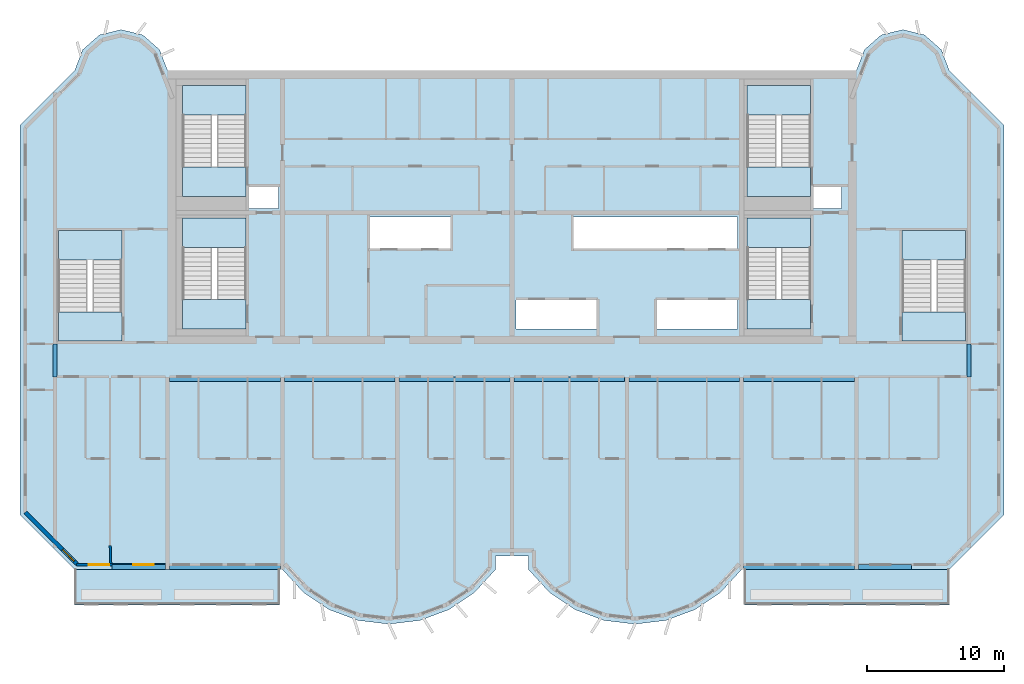
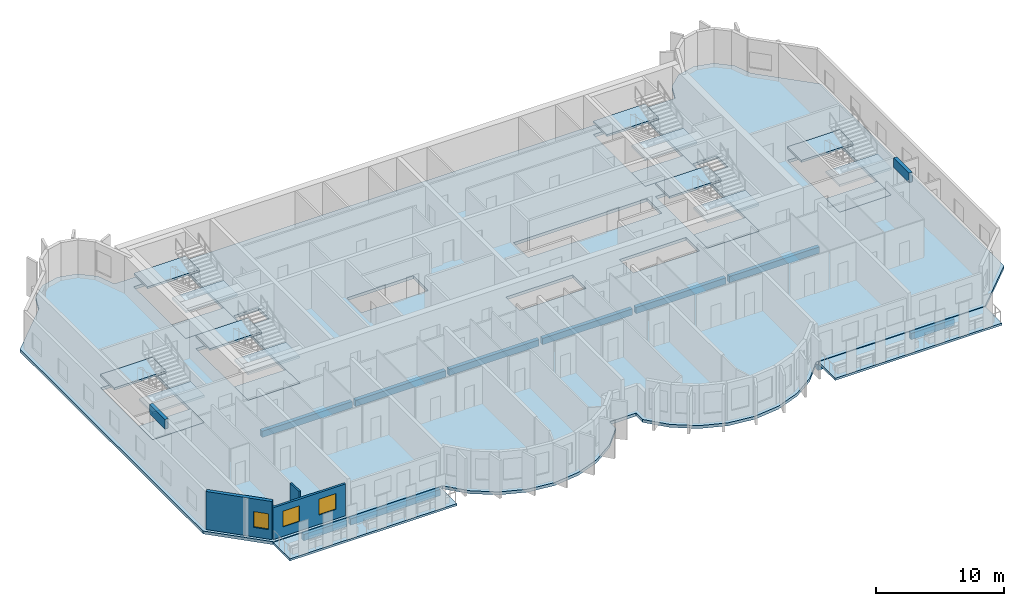
# One storey, part 1 of 11: 21 slabs, 12 beams, 3 walls, 3 windows, 3 openings, 6 elements without a shape of their own.
"""IFC4 building model written with IfcOpenShell, lengths in metres."""

from ifc_helpers import new_model, si_unit, direction, frame, frame_2d, origin, origin_2d, place, context, subcontext, project, spatial, polyline, rectangle, outline, extrude, source, transform, mapped, material, layer, layer_set, material_profile, profile_set, type_object, element, fill, aggregate, save


model = new_model("IFC4")

# Units and contexts
model_context = context("Model", 3, precision=1e-05, world=origin(), true_north=direction((0.0, 1.0)))
body_context = subcontext(model_context, "Body", "Model", "MODEL_VIEW")
ifc_project = project(units=[si_unit("LENGTHUNIT", "METRE"), si_unit("AREAUNIT", "SQUARE_METRE"), si_unit("VOLUMEUNIT", "CUBIC_METRE"), si_unit("PLANEANGLEUNIT", "RADIAN"), si_unit("MASSUNIT", "GRAM", prefix="KILO")], contexts=[model_context])

# Site, building, storey
site_placement = place(None, origin())
site = spatial("IfcSite", under=ifc_project, at=site_placement, CompositionType="ELEMENT")
building_placement = place(site_placement, origin())
building = spatial("IfcBuilding", under=site, at=building_placement, Name="Vanashikhar Sky Hotel", CompositionType="ELEMENT")
storey_placement = place(building_placement, frame((0.0, 0.0, 260.800048828125)))
storey = spatial("IfcBuildingStorey", under=building, at=storey_placement, Name="L63", CompositionType="ELEMENT", Elevation=260.800048828125)

# Beams
ifc_material_1 = material(Name="Concrete M50", Category="concrete")
ifc_material_profile_1 = material_profile(ifc_material_1, rectangle(XDim=0.300048828125, YDim=0.89990234375, at=origin_2d()))
ifc_profile_set_1 = profile_set([ifc_material_profile_1], Name="RC 300x900 beam Concrete M50")
beam_type_1 = type_object("IfcBeamType", Name="RC 300x900 beam Concrete M50", PredefinedType="LINTEL", material=ifc_profile_set_1)
shared_shape_1 = source(origin(), body_context, "Body", "SweptSolid", [
    extrude(rectangle(XDim=0.300048828125, YDim=0.89990234375, at=origin_2d()), origin(), (0.0, 0.0, 1.0), 2.39990234375),
])
for number, where, z_axis, x_axis, name in (
    (1, (16.949951171875, 19.60009765625, 3.169921875), (0.0, 1.0, 0.0), (-1.0, 0.0, 0.0), "LB-L63-XW03"),
    (2, (83.85009765625, 19.60009765625, 3.169921875), (0.0, 1.0, 0.0), (-1.0, 0.0, 0.0), "LB-L63-XW11"),
):
    element("IfcBeam", number, at=place(storey_placement, frame(where, z_axis=z_axis, x_axis=x_axis)), inside=storey, type_object=beam_type_1, Name=name, PredefinedType="LINTEL", context=body_context, shape_type="MappedRepresentation", body=[
        mapped(shared_shape_1, transform((0.0, 0.0, 0.0), scale=1.0)),
    ])
ifc_material_profile_2 = material_profile(ifc_material_1, rectangle(XDim=0.35009765625, YDim=0.60009765625, at=origin_2d()))
ifc_profile_set_2 = profile_set([ifc_material_profile_2], Name="RC 350x600 beam Concrete M50")
beam_type_2 = type_object("IfcBeamType", Name="RC 350x600 beam Concrete M50", PredefinedType="SPANDREL", material=ifc_profile_set_2)
shared_shape_2 = source(origin(), body_context, "Body", "SweptSolid", [
    extrude(rectangle(XDim=0.35009765625, YDim=0.60009765625, at=origin_2d()), origin(), (0.0, 0.0, 1.0), 8.099853515625),
])
for number, where, z_axis, x_axis, name in (
    (3, (25.35009765625, 5.675048828125, -0.580078125), (1.0, 0.0, 0.0), (0.0, 1.0, 0.0), "EB-L63-F01"),
    (4, (67.35009765625, 5.675048828125, -0.580078125), (1.0, 0.0, 0.0), (0.0, 1.0, 0.0), "EB-L63-F03"),
    (5, (25.35009765625, 19.425048828125, -0.580078125), (1.0, 0.0, 0.0), (0.0, 1.0, 0.0), "CB-L63-01"),
    (6, (50.550048828125, 19.425048828125, -0.580078125), (1.0, 0.0, 0.0), (0.0, 1.0, 0.0), "CB-L63-04"),
    (7, (67.35009765625, 19.425048828125, -0.580078125), (1.0, 0.0, 0.0), (0.0, 1.0, 0.0), "CB-L63-06"),
):
    element("IfcBeam", number, at=place(storey_placement, frame(where, z_axis=z_axis, x_axis=x_axis)), inside=storey, type_object=beam_type_2, Name=name, PredefinedType="SPANDREL", context=body_context, shape_type="MappedRepresentation", body=[
        mapped(shared_shape_2, transform((0.0, 0.0, 0.0), scale=1.0)),
    ])
ifc_material_profile_3 = material_profile(ifc_material_1, rectangle(XDim=0.35009765625, YDim=0.60009765625, at=origin_2d()))
ifc_profile_set_3 = profile_set([ifc_material_profile_3], Name="RC 350x600 cantilever beam Concrete M50")
beam_type_3 = type_object("IfcBeamType", Name="RC 350x600 cantilever beam Concrete M50", PredefinedType="SPANDREL", material=ifc_profile_set_3)
shared_shape_3 = source(origin(), body_context, "Body", "SweptSolid", [
    extrude(rectangle(XDim=0.35009765625, YDim=0.60009765625, at=origin_2d()), origin(), (0.0, 0.0, 1.0), 3.900146484375),
])
beam_1_placement = place(storey_placement, frame((21.14990234375, 5.675048828125, -0.580078125), z_axis=(1.0, 0.0, 0.0), x_axis=(0.0, 1.0, 0.0)))
element("IfcBeam", 8, at=beam_1_placement, inside=storey, type_object=beam_type_3, Name="EB-L63-F02", PredefinedType="SPANDREL", context=body_context, shape_type="MappedRepresentation", body=[
    mapped(shared_shape_3, transform((0.0, 0.0, 0.0), scale=1.0)),
])
shared_shape_4 = source(origin(), body_context, "Body", "SweptSolid", [
    extrude(rectangle(XDim=0.35009765625, YDim=0.60009765625, at=origin_2d()), origin(), (0.0, 0.0, 1.0), 3.89990234375),
])
beam_2_placement = place(storey_placement, frame((75.75, 5.675048828125, -0.580078125), z_axis=(1.0, 0.0, 0.0), x_axis=(0.0, 1.0, 0.0)))
element("IfcBeam", 9, at=beam_2_placement, inside=storey, type_object=beam_type_3, Name="EB-L63-F04", PredefinedType="SPANDREL", context=body_context, shape_type="MappedRepresentation", body=[
    mapped(shared_shape_4, transform((0.0, 0.0, 0.0), scale=1.0)),
])
shared_shape_5 = source(origin(), body_context, "Body", "SweptSolid", [
    extrude(rectangle(XDim=0.35009765625, YDim=0.60009765625, at=origin_2d()), origin(), (0.0, 0.0, 1.0), 8.10009765625),
])
for number, where, z_axis, x_axis, name in (
    (10, (33.75, 19.425048828125, -0.580078125), (1.0, 0.0, 0.0), (0.0, 1.0, 0.0), "CB-L63-02"),
    (11, (42.14990234375, 19.425048828125, -0.580078125), (1.0, 0.0, 0.0), (0.0, 1.0, 0.0), "CB-L63-03"),
    (12, (58.949951171875, 19.425048828125, -0.580078125), (1.0, 0.0, 0.0), (0.0, 1.0, 0.0), "CB-L63-05"),
):
    element("IfcBeam", number, at=place(storey_placement, frame(where, z_axis=z_axis, x_axis=x_axis)), inside=storey, type_object=beam_type_2, Name=name, PredefinedType="SPANDREL", context=body_context, shape_type="MappedRepresentation", body=[
        mapped(shared_shape_5, transform((0.0, 0.0, 0.0), scale=1.0)),
    ])

# Slabs
ifc_material_2 = material(Name="Concrete M40", Category="concrete")
ifc_layer_1 = layer(ifc_material_2, 0.280029296875)
ifc_layer_set_1 = layer_set([ifc_layer_1], Name="Floor slab 280 mm")
slab_type_1 = type_object("IfcSlabType", Name="Floor slab 280 mm", PredefinedType="FLOOR", material=ifc_layer_set_1)
shared_shape_6 = source(origin(), body_context, "Body", "SweptSolid", [
    extrude(outline(polyline([(49.199951171875, 5.5), (49.199951171875, 6.5), (51.60009765625, 6.5), (51.60009765625, 5.5), (53.133056640625, 3.825927734375), (55.01708984375, 2.55810546875), (57.14599609375, 1.76806640625), (59.39990234375, 1.5), (61.654052734375, 1.76806640625), (63.782958984375, 2.55810546875), (65.6669921875, 3.825927734375), (67.199951171875, 5.5), (82.39990234375, 5.5), (86.39990234375, 9.5), (86.39990234375, 38.0), (82.39990234375, 42.0), (81.81494140625, 43.527099609375), (80.587890625, 44.610107421875), (79.0, 45.0), (77.412109375, 44.610107421875), (76.18505859375, 43.527099609375), (75.60009765625, 42.0), (25.199951171875, 42.0), (24.614990234375, 43.527099609375), (23.387939453125, 44.610107421875), (21.800048828125, 45.0), (20.2119140625, 44.610107421875), (18.985107421875, 43.527099609375), (18.39990234375, 42.0), (14.39990234375, 38.0), (14.39990234375, 9.5), (18.39990234375, 5.5), (33.60009765625, 5.5), (35.133056640625, 3.825927734375), (37.01708984375, 2.55810546875), (39.14599609375, 1.76806640625), (41.39990234375, 1.5), (43.654052734375, 1.76806640625), (45.782958984375, 2.55810546875), (47.6669921875, 3.825927734375), (49.199951171875, 5.5)]), holes=[polyline([(33.300048828125, 33.60009765625), (31.050048828125, 33.60009765625), (31.050048828125, 31.89990234375), (33.300048828125, 31.89990234375), (33.300048828125, 33.60009765625)]), polyline([(39.89990234375, 31.300048828125), (39.89990234375, 29.0), (45.89990234375, 29.0), (45.89990234375, 31.300048828125), (39.89990234375, 31.300048828125)]), polyline([(50.699951171875, 25.199951171875), (50.699951171875, 23.10009765625), (56.699951171875, 23.10009765625), (56.699951171875, 25.199951171875), (50.699951171875, 25.199951171875)]), polyline([(66.89990234375, 29.0), (66.89990234375, 31.300048828125), (54.89990234375, 31.300048828125), (54.89990234375, 29.0), (66.89990234375, 29.0)]), polyline([(60.89990234375, 25.199951171875), (60.89990234375, 23.10009765625), (66.89990234375, 23.10009765625), (66.89990234375, 25.199951171875), (60.89990234375, 25.199951171875)]), polyline([(74.5, 33.60009765625), (72.35009765625, 33.60009765625), (72.35009765625, 31.89990234375), (74.5, 31.89990234375), (74.5, 33.60009765625)]), polyline([(30.949951171875, 23.10009765625), (30.949951171875, 31.199951171875), (26.300048828125, 31.199951171875), (26.300048828125, 23.10009765625), (30.949951171875, 23.10009765625)]), polyline([(72.25, 23.10009765625), (72.25, 31.199951171875), (67.60009765625, 31.199951171875), (67.60009765625, 23.10009765625), (72.25, 23.10009765625)]), polyline([(30.949951171875, 32.800048828125), (30.949951171875, 40.89990234375), (26.300048828125, 40.89990234375), (26.300048828125, 32.800048828125), (30.949951171875, 32.800048828125)]), polyline([(72.25, 32.800048828125), (72.25, 40.89990234375), (67.60009765625, 40.89990234375), (67.60009765625, 32.800048828125), (72.25, 32.800048828125)]), polyline([(83.60009765625, 22.199951171875), (83.60009765625, 30.300048828125), (78.949951171875, 30.300048828125), (78.949951171875, 22.199951171875), (83.60009765625, 22.199951171875)]), polyline([(21.85009765625, 22.199951171875), (21.85009765625, 30.300048828125), (17.199951171875, 30.300048828125), (17.199951171875, 22.199951171875), (21.85009765625, 22.199951171875)])]), origin(), (0.0, 0.0, 1.0), 0.280029296875),
])
slab_1_placement = place(storey_placement, frame((0.0, 0.0, -0.280029296875)))
element("IfcSlab", 13, at=slab_1_placement, inside=storey, type_object=slab_type_1, Name="Floor slab L63", PredefinedType="FLOOR", context=body_context, shape_type="MappedRepresentation", body=[
    mapped(shared_shape_6, transform((0.0, 0.0, 0.0), scale=1.0)),
])
ifc_layer_2 = layer(ifc_material_2, 0.199951171875)
ifc_layer_set_2 = layer_set([ifc_layer_2], Name="Balcony slab 200 mm")
slab_type_2 = type_object("IfcSlabType", Name="Balcony slab 200 mm", PredefinedType="USERDEFINED", material=ifc_layer_set_2)
shared_shape_7 = source(origin(), body_context, "Body", "SweptSolid", [
    extrude(outline(polyline([(18.39990234375, 2.89990234375), (33.39990234375, 2.89990234375), (33.39990234375, 5.5), (18.39990234375, 5.5), (18.39990234375, 2.89990234375)])), origin(), (0.0, 0.0, 1.0), 0.199951171875),
])
slab_2_placement = place(storey_placement, frame((0.0, 0.0, -0.25)))
element("IfcSlab", 14, at=slab_2_placement, inside=storey, type_object=slab_type_2, Name="Balcony slab L63 1", ObjectType="BALCONY", PredefinedType="USERDEFINED", context=body_context, shape_type="MappedRepresentation", body=[
    mapped(shared_shape_7, transform((0.0, 0.0, 0.0), scale=1.0)),
])
shared_shape_8 = source(origin(), body_context, "Body", "SweptSolid", [
    extrude(outline(polyline([(67.39990234375, 2.89990234375), (82.39990234375, 2.89990234375), (82.39990234375, 5.5), (67.39990234375, 5.5), (67.39990234375, 2.89990234375)])), origin(), (0.0, 0.0, 1.0), 0.199951171875),
])
slab_3_placement = place(storey_placement, frame((0.0, 0.0, -0.25)))
element("IfcSlab", 15, at=slab_3_placement, inside=storey, type_object=slab_type_2, Name="Balcony slab L63 2", ObjectType="BALCONY", PredefinedType="USERDEFINED", context=body_context, shape_type="MappedRepresentation", body=[
    mapped(shared_shape_8, transform((0.0, 0.0, 0.0), scale=1.0)),
])

# Stair, slabs
stair_type = type_object("IfcStairType", Name="Exit stair 2150", PredefinedType="DOUBLE_RETURN_STAIR", material=ifc_material_2)
stair_1_placement = place(storey_placement, origin())
stair_1 = element("IfcStair", 16, at=stair_1_placement, inside=storey, type_object=stair_type, Name="L63 Exit stair 1", PredefinedType="DOUBLE_RETURN_STAIR")
ifc_layer_3 = layer(ifc_material_2, 0.199951171875)
ifc_layer_set_3 = layer_set([ifc_layer_3], Name="Stair landing 200")
slab_type_3 = type_object("IfcSlabType", Name="Stair landing 200", PredefinedType="LANDING", material=ifc_layer_set_3)
shared_shape_9 = source(origin(), body_context, "Body", "SweptSolid", [
    extrude(outline(polyline([(30.949951171875, 23.10009765625), (30.949951171875, 25.25), (26.300048828125, 25.25), (26.300048828125, 23.10009765625), (30.949951171875, 23.10009765625)])), origin(), (0.0, 0.0, 1.0), 0.199951171875),
])
slab_4_placement = place(storey_placement, frame((0.0, 0.0, 2.39990234375)))
slab_4 = element("IfcSlab", 17, at=slab_4_placement, type_object=slab_type_3, Name="ST-C1 landing 2", PredefinedType="LANDING", context=body_context, shape_type="MappedRepresentation", body=[
    mapped(shared_shape_9, transform((0.0, 0.0, 0.0), scale=1.0)),
])
shared_shape_10 = source(origin(), body_context, "Body", "SweptSolid", [
    extrude(outline(polyline([(30.949951171875, 29.050048828125), (30.949951171875, 31.199951171875), (26.300048828125, 31.199951171875), (26.300048828125, 29.050048828125), (30.949951171875, 29.050048828125)])), origin(), (0.0, 0.0, 1.0), 0.2001953125),
])
slab_5_placement = place(storey_placement, frame((0.0, 0.0, 1.099853515625)))
slab_5 = element("IfcSlab", 18, at=slab_5_placement, type_object=slab_type_3, Name="ST-C1 landing 1", PredefinedType="LANDING", context=body_context, shape_type="MappedRepresentation", body=[
    mapped(shared_shape_10, transform((0.0, 0.0, 0.0), scale=1.0)),
])
aggregate(stair_1, [slab_5, slab_4])

# Slab
ifc_layer_4 = layer(ifc_material_2, 0.280029296875)
ifc_layer_set_4 = layer_set([ifc_layer_4], Name="Stair floor landing 280")
slab_type_4 = type_object("IfcSlabType", Name="Stair floor landing 280", PredefinedType="LANDING", material=ifc_layer_set_4)
shared_shape_11 = source(origin(), body_context, "Body", "SweptSolid", [
    extrude(outline(polyline([(30.949951171875, 23.10009765625), (30.949951171875, 25.25), (26.300048828125, 25.25), (26.300048828125, 23.10009765625), (30.949951171875, 23.10009765625)])), origin(), (0.0, 0.0, 1.0), 0.280029296875),
])
slab_6_placement = place(storey_placement, frame((0.0, 0.0, -0.280029296875)))
element("IfcSlab", 19, at=slab_6_placement, inside=storey, type_object=slab_type_4, Name="Exit stair 1 floor landing", PredefinedType="LANDING", context=body_context, shape_type="MappedRepresentation", body=[
    mapped(shared_shape_11, transform((0.0, 0.0, 0.0), scale=1.0)),
])

# Stair, slabs
stair_2_placement = place(storey_placement, origin())
stair_2 = element("IfcStair", 20, at=stair_2_placement, inside=storey, type_object=stair_type, Name="L63 Exit stair 2", PredefinedType="DOUBLE_RETURN_STAIR")
shared_shape_12 = source(origin(), body_context, "Body", "SweptSolid", [
    extrude(outline(polyline([(72.25, 23.10009765625), (72.25, 25.25), (67.60009765625, 25.25), (67.60009765625, 23.10009765625), (72.25, 23.10009765625)])), origin(), (0.0, 0.0, 1.0), 0.199951171875),
])
slab_7_placement = place(storey_placement, frame((0.0, 0.0, 2.39990234375)))
slab_7 = element("IfcSlab", 21, at=slab_7_placement, type_object=slab_type_3, Name="ST-C2 landing 2", PredefinedType="LANDING", context=body_context, shape_type="MappedRepresentation", body=[
    mapped(shared_shape_12, transform((0.0, 0.0, 0.0), scale=1.0)),
])
shared_shape_13 = source(origin(), body_context, "Body", "SweptSolid", [
    extrude(outline(polyline([(72.25, 29.050048828125), (72.25, 31.199951171875), (67.60009765625, 31.199951171875), (67.60009765625, 29.050048828125), (72.25, 29.050048828125)])), origin(), (0.0, 0.0, 1.0), 0.2001953125),
])
slab_8_placement = place(storey_placement, frame((0.0, 0.0, 1.099853515625)))
slab_8 = element("IfcSlab", 22, at=slab_8_placement, type_object=slab_type_3, Name="ST-C2 landing 1", PredefinedType="LANDING", context=body_context, shape_type="MappedRepresentation", body=[
    mapped(shared_shape_13, transform((0.0, 0.0, 0.0), scale=1.0)),
])
aggregate(stair_2, [slab_8, slab_7])

# Slab
shared_shape_14 = source(origin(), body_context, "Body", "SweptSolid", [
    extrude(outline(polyline([(72.25, 23.10009765625), (72.25, 25.25), (67.60009765625, 25.25), (67.60009765625, 23.10009765625), (72.25, 23.10009765625)])), origin(), (0.0, 0.0, 1.0), 0.280029296875),
])
slab_9_placement = place(storey_placement, frame((0.0, 0.0, -0.280029296875)))
element("IfcSlab", 23, at=slab_9_placement, inside=storey, type_object=slab_type_4, Name="Exit stair 2 floor landing", PredefinedType="LANDING", context=body_context, shape_type="MappedRepresentation", body=[
    mapped(shared_shape_14, transform((0.0, 0.0, 0.0), scale=1.0)),
])

# Stair, slabs
stair_3_placement = place(storey_placement, origin())
stair_3 = element("IfcStair", 24, at=stair_3_placement, inside=storey, type_object=stair_type, Name="L63 Exit stair 3", PredefinedType="DOUBLE_RETURN_STAIR")
shared_shape_15 = source(origin(), body_context, "Body", "SweptSolid", [
    extrude(outline(polyline([(21.85009765625, 22.199951171875), (21.85009765625, 24.35009765625), (17.199951171875, 24.35009765625), (17.199951171875, 22.199951171875), (21.85009765625, 22.199951171875)])), origin(), (0.0, 0.0, 1.0), 0.199951171875),
])
slab_10_placement = place(storey_placement, frame((0.0, 0.0, 2.39990234375)))
slab_10 = element("IfcSlab", 25, at=slab_10_placement, type_object=slab_type_3, Name="ST-W landing 2", PredefinedType="LANDING", context=body_context, shape_type="MappedRepresentation", body=[
    mapped(shared_shape_15, transform((0.0, 0.0, 0.0), scale=1.0)),
])
shared_shape_16 = source(origin(), body_context, "Body", "SweptSolid", [
    extrude(outline(polyline([(21.85009765625, 28.14990234375), (21.85009765625, 30.300048828125), (17.199951171875, 30.300048828125), (17.199951171875, 28.14990234375), (21.85009765625, 28.14990234375)])), origin(), (0.0, 0.0, 1.0), 0.2001953125),
])
slab_11_placement = place(storey_placement, frame((0.0, 0.0, 1.099853515625)))
slab_11 = element("IfcSlab", 26, at=slab_11_placement, type_object=slab_type_3, Name="ST-W landing 1", PredefinedType="LANDING", context=body_context, shape_type="MappedRepresentation", body=[
    mapped(shared_shape_16, transform((0.0, 0.0, 0.0), scale=1.0)),
])
aggregate(stair_3, [slab_11, slab_10])

# Slab
shared_shape_17 = source(origin(), body_context, "Body", "SweptSolid", [
    extrude(outline(polyline([(21.85009765625, 22.199951171875), (21.85009765625, 24.35009765625), (17.199951171875, 24.35009765625), (17.199951171875, 22.199951171875), (21.85009765625, 22.199951171875)])), origin(), (0.0, 0.0, 1.0), 0.280029296875),
])
slab_12_placement = place(storey_placement, frame((0.0, 0.0, -0.280029296875)))
element("IfcSlab", 27, at=slab_12_placement, inside=storey, type_object=slab_type_4, Name="Exit stair 3 floor landing", PredefinedType="LANDING", context=body_context, shape_type="MappedRepresentation", body=[
    mapped(shared_shape_17, transform((0.0, 0.0, 0.0), scale=1.0)),
])

# Stair, slabs
stair_4_placement = place(storey_placement, origin())
stair_4 = element("IfcStair", 28, at=stair_4_placement, inside=storey, type_object=stair_type, Name="L63 Exit stair 4", PredefinedType="DOUBLE_RETURN_STAIR")
shared_shape_18 = source(origin(), body_context, "Body", "SweptSolid", [
    extrude(outline(polyline([(83.60009765625, 22.199951171875), (83.60009765625, 24.35009765625), (78.949951171875, 24.35009765625), (78.949951171875, 22.199951171875), (83.60009765625, 22.199951171875)])), origin(), (0.0, 0.0, 1.0), 0.199951171875),
])
slab_13_placement = place(storey_placement, frame((0.0, 0.0, 2.39990234375)))
slab_13 = element("IfcSlab", 29, at=slab_13_placement, type_object=slab_type_3, Name="ST-E landing 2", PredefinedType="LANDING", context=body_context, shape_type="MappedRepresentation", body=[
    mapped(shared_shape_18, transform((0.0, 0.0, 0.0), scale=1.0)),
])
shared_shape_19 = source(origin(), body_context, "Body", "SweptSolid", [
    extrude(outline(polyline([(83.60009765625, 28.14990234375), (83.60009765625, 30.300048828125), (78.949951171875, 30.300048828125), (78.949951171875, 28.14990234375), (83.60009765625, 28.14990234375)])), origin(), (0.0, 0.0, 1.0), 0.2001953125),
])
slab_14_placement = place(storey_placement, frame((0.0, 0.0, 1.099853515625)))
slab_14 = element("IfcSlab", 30, at=slab_14_placement, type_object=slab_type_3, Name="ST-E landing 1", PredefinedType="LANDING", context=body_context, shape_type="MappedRepresentation", body=[
    mapped(shared_shape_19, transform((0.0, 0.0, 0.0), scale=1.0)),
])
aggregate(stair_4, [slab_14, slab_13])

# Slab
shared_shape_20 = source(origin(), body_context, "Body", "SweptSolid", [
    extrude(outline(polyline([(83.60009765625, 22.199951171875), (83.60009765625, 24.35009765625), (78.949951171875, 24.35009765625), (78.949951171875, 22.199951171875), (83.60009765625, 22.199951171875)])), origin(), (0.0, 0.0, 1.0), 0.280029296875),
])
slab_15_placement = place(storey_placement, frame((0.0, 0.0, -0.280029296875)))
element("IfcSlab", 31, at=slab_15_placement, inside=storey, type_object=slab_type_4, Name="Exit stair 4 floor landing", PredefinedType="LANDING", context=body_context, shape_type="MappedRepresentation", body=[
    mapped(shared_shape_20, transform((0.0, 0.0, 0.0), scale=1.0)),
])

# Stair, slabs
stair_5_placement = place(storey_placement, origin())
stair_5 = element("IfcStair", 32, at=stair_5_placement, inside=storey, type_object=stair_type, Name="L63 Exit stair 5", PredefinedType="DOUBLE_RETURN_STAIR")
shared_shape_21 = source(origin(), body_context, "Body", "SweptSolid", [
    extrude(outline(polyline([(30.949951171875, 32.800048828125), (30.949951171875, 34.949951171875), (26.300048828125, 34.949951171875), (26.300048828125, 32.800048828125), (30.949951171875, 32.800048828125)])), origin(), (0.0, 0.0, 1.0), 0.199951171875),
])
slab_16_placement = place(storey_placement, frame((0.0, 0.0, 2.39990234375)))
slab_16 = element("IfcSlab", 33, at=slab_16_placement, type_object=slab_type_3, Name="ST-C3 landing 2", PredefinedType="LANDING", context=body_context, shape_type="MappedRepresentation", body=[
    mapped(shared_shape_21, transform((0.0, 0.0, 0.0), scale=1.0)),
])
shared_shape_22 = source(origin(), body_context, "Body", "SweptSolid", [
    extrude(outline(polyline([(30.949951171875, 38.75), (30.949951171875, 40.89990234375), (26.300048828125, 40.89990234375), (26.300048828125, 38.75), (30.949951171875, 38.75)])), origin(), (0.0, 0.0, 1.0), 0.2001953125),
])
slab_17_placement = place(storey_placement, frame((0.0, 0.0, 1.099853515625)))
slab_17 = element("IfcSlab", 34, at=slab_17_placement, type_object=slab_type_3, Name="ST-C3 landing 1", PredefinedType="LANDING", context=body_context, shape_type="MappedRepresentation", body=[
    mapped(shared_shape_22, transform((0.0, 0.0, 0.0), scale=1.0)),
])
aggregate(stair_5, [slab_17, slab_16])

# Slab
shared_shape_23 = source(origin(), body_context, "Body", "SweptSolid", [
    extrude(outline(polyline([(30.949951171875, 32.800048828125), (30.949951171875, 34.949951171875), (26.300048828125, 34.949951171875), (26.300048828125, 32.800048828125), (30.949951171875, 32.800048828125)])), origin(), (0.0, 0.0, 1.0), 0.280029296875),
])
slab_18_placement = place(storey_placement, frame((0.0, 0.0, -0.280029296875)))
element("IfcSlab", 35, at=slab_18_placement, inside=storey, type_object=slab_type_4, Name="Exit stair 5 floor landing", PredefinedType="LANDING", context=body_context, shape_type="MappedRepresentation", body=[
    mapped(shared_shape_23, transform((0.0, 0.0, 0.0), scale=1.0)),
])

# Stair, slabs
stair_6_placement = place(storey_placement, origin())
stair_6 = element("IfcStair", 36, at=stair_6_placement, inside=storey, type_object=stair_type, Name="L63 Exit stair 6", PredefinedType="DOUBLE_RETURN_STAIR")
shared_shape_24 = source(origin(), body_context, "Body", "SweptSolid", [
    extrude(outline(polyline([(72.25, 32.800048828125), (72.25, 34.949951171875), (67.60009765625, 34.949951171875), (67.60009765625, 32.800048828125), (72.25, 32.800048828125)])), origin(), (0.0, 0.0, 1.0), 0.199951171875),
])
slab_19_placement = place(storey_placement, frame((0.0, 0.0, 2.39990234375)))
slab_19 = element("IfcSlab", 37, at=slab_19_placement, type_object=slab_type_3, Name="ST-C4 landing 2", PredefinedType="LANDING", context=body_context, shape_type="MappedRepresentation", body=[
    mapped(shared_shape_24, transform((0.0, 0.0, 0.0), scale=1.0)),
])
shared_shape_25 = source(origin(), body_context, "Body", "SweptSolid", [
    extrude(outline(polyline([(72.25, 38.75), (72.25, 40.89990234375), (67.60009765625, 40.89990234375), (67.60009765625, 38.75), (72.25, 38.75)])), origin(), (0.0, 0.0, 1.0), 0.2001953125),
])
slab_20_placement = place(storey_placement, frame((0.0, 0.0, 1.099853515625)))
slab_20 = element("IfcSlab", 38, at=slab_20_placement, type_object=slab_type_3, Name="ST-C4 landing 1", PredefinedType="LANDING", context=body_context, shape_type="MappedRepresentation", body=[
    mapped(shared_shape_25, transform((0.0, 0.0, 0.0), scale=1.0)),
])
aggregate(stair_6, [slab_20, slab_19])

# Slab
shared_shape_26 = source(origin(), body_context, "Body", "SweptSolid", [
    extrude(outline(polyline([(72.25, 32.800048828125), (72.25, 34.949951171875), (67.60009765625, 34.949951171875), (67.60009765625, 32.800048828125), (72.25, 32.800048828125)])), origin(), (0.0, 0.0, 1.0), 0.280029296875),
])
slab_21_placement = place(storey_placement, frame((0.0, 0.0, -0.280029296875)))
element("IfcSlab", 39, at=slab_21_placement, inside=storey, type_object=slab_type_4, Name="Exit stair 6 floor landing", PredefinedType="LANDING", context=body_context, shape_type="MappedRepresentation", body=[
    mapped(shared_shape_26, transform((0.0, 0.0, 0.0), scale=1.0)),
])

# Wall, openings, windows
ifc_layer_5 = layer(ifc_material_1, 0.199951171875)
ifc_layer_set_5 = layer_set([ifc_layer_5], Name="Front window wall 200")
wall_type_1 = type_object("IfcWallType", Name="Front window wall 200", PredefinedType="SOLIDWALL", material=ifc_layer_set_5)
shared_shape_27 = source(origin(), body_context, "Body", "SweptSolid", [
    extrude(rectangle(XDim=6.505126953125, YDim=0.199951171875, at=frame_2d((3.25244140625, 0.0))), origin(), (0.0, 0.0, 1.0), 3.02001953125),
])
wall_1_placement = place(storey_placement, frame((18.544921875, 5.85009765625, 0.0), z_axis=(0.0, 0.0, 1.0), x_axis=(1.0, 0.0, 0.0)))
wall_1 = element("IfcWall", 40, at=wall_1_placement, inside=storey, type_object=wall_type_1, Name="Front window wall", PredefinedType="SOLIDWALL", context=body_context, shape_type="MappedRepresentation", body=[
    mapped(shared_shape_27, transform((0.0, 0.0, 0.0), scale=1.0)),
])
shared_shape_28 = source(origin(), body_context, "Body", "SweptSolid", [
    extrude(rectangle(XDim=1.5, YDim=1.5, at=frame_2d((0.75, 0.75))), frame((0.0, 0.10986328125, 0.0), z_axis=(0.0, -1.0, 0.0), x_axis=(1.0, 0.0, 0.0)), (0.0, 0.0, 1.0), 0.219970703125),
])
opening_1_placement = place(wall_1_placement, frame((0.876220703125, 0.0, 0.89990234375)))
opening_1 = element("IfcOpeningElement", 41, at=opening_1_placement, cuts=wall_1, Name="Opening WN-1", PredefinedType="OPENING", context=body_context, shape_type="MappedRepresentation", body=[
    mapped(shared_shape_28, transform((0.0, 0.0, 0.0), scale=1.0)),
])
opening_2_placement = place(wall_1_placement, frame((4.128662109375, 0.0, 0.89990234375)))
opening_2 = element("IfcOpeningElement", 42, at=opening_2_placement, cuts=wall_1, Name="Opening WN-1", PredefinedType="OPENING", context=body_context, shape_type="MappedRepresentation", body=[
    mapped(shared_shape_28, transform((0.0, 0.0, 0.0), scale=1.0)),
])
ifc_material_3 = material(Name="Glass", Category="glass")
window_type_1 = type_object("IfcWindowType", Name="Window 1500 x 1500", PartitioningType="SINGLE_PANEL", PredefinedType="WINDOW", material=ifc_material_3)
shared_shape_29 = source(origin(), body_context, "Body", "SweptSolid", [
    extrude(rectangle(XDim=1.5, YDim=1.5, at=frame_2d((0.75, 0.75))), frame((0.0, 0.030029296875, 0.0), z_axis=(0.0, -1.0, 0.0), x_axis=(1.0, 0.0, 0.0)), (0.0, 0.0, 1.0), 0.06005859375),
])
window_1_placement = place(opening_1_placement, origin())
window_1 = element("IfcWindow", 43, at=window_1_placement, inside=storey, type_object=window_type_1, Name="Window WN-1", OverallHeight=1.5, OverallWidth=1.5, PartitioningType="SINGLE_PANEL", PredefinedType="WINDOW", context=body_context, shape_type="MappedRepresentation", body=[
    mapped(shared_shape_29, transform((0.0, 0.0, 0.0), scale=1.0)),
])
fill(opening_1, window_1)
window_2_placement = place(opening_2_placement, origin())
window_2 = element("IfcWindow", 44, at=window_2_placement, inside=storey, type_object=window_type_1, Name="Window WN-1", OverallHeight=1.5, OverallWidth=1.5, PartitioningType="SINGLE_PANEL", PredefinedType="WINDOW", context=body_context, shape_type="MappedRepresentation", body=[
    mapped(shared_shape_29, transform((0.0, 0.0, 0.0), scale=1.0)),
])
fill(opening_2, window_2)

# Wall, opening, window
ifc_layer_6 = layer(ifc_material_1, 0.300048828125)
ifc_layer_set_6 = layer_set([ifc_layer_6], Name="Lobe wall 300")
wall_type_2 = type_object("IfcWallType", Name="Lobe wall 300", PredefinedType="SOLIDWALL", material=ifc_layer_set_6)
shared_shape_30 = source(origin(), body_context, "Body", "SweptSolid", [
    extrude(rectangle(XDim=5.32568359375, YDim=0.300048828125, at=frame_2d((2.662841796875, 0.0))), origin(), (0.0, 0.0, 1.0), 3.619873046875),
])
wall_2_placement = place(storey_placement, frame((14.800048828125, 9.665771484375, 0.0), z_axis=(0.0, 0.0, 1.0), x_axis=(0.707083859269, -0.707129702361, 0.0)))
wall_2 = element("IfcWall", 45, at=wall_2_placement, inside=storey, type_object=wall_type_2, Name="Corner wall", PredefinedType="SOLIDWALL", context=body_context, shape_type="MappedRepresentation", body=[
    mapped(shared_shape_30, transform((0.0, 0.0, 0.0), scale=1.0)),
])
shared_shape_31 = source(origin(), body_context, "Body", "SweptSolid", [
    extrude(rectangle(XDim=1.199951171875, YDim=1.5, at=frame_2d((0.60009765625, 0.75))), frame((0.0, 0.16015625, 0.0), z_axis=(0.0, -1.0, 0.0), x_axis=(1.0, 0.0, 0.0)), (0.0, 0.0, 1.0), 0.320068359375),
])
opening_3_placement = place(wall_2_placement, frame((3.8330078125, 0.0, 0.89990234375)))
opening_3 = element("IfcOpeningElement", 46, at=opening_3_placement, cuts=wall_2, Name="Opening WN-3", PredefinedType="OPENING", context=body_context, shape_type="MappedRepresentation", body=[
    mapped(shared_shape_31, transform((0.0, 0.0, 0.0), scale=1.0)),
])
window_type_2 = type_object("IfcWindowType", Name="Corridor end window 1200 x 1500", PartitioningType="SINGLE_PANEL", PredefinedType="WINDOW", material=ifc_material_3)
shared_shape_32 = source(origin(), body_context, "Body", "SweptSolid", [
    extrude(rectangle(XDim=1.199951171875, YDim=1.5, at=frame_2d((0.60009765625, 0.75))), frame((0.0, 0.030029296875, 0.0), z_axis=(0.0, -1.0, 0.0), x_axis=(1.0, 0.0, 0.0)), (0.0, 0.0, 1.0), 0.06005859375),
])
window_3_placement = place(opening_3_placement, origin())
window_3 = element("IfcWindow", 47, at=window_3_placement, inside=storey, type_object=window_type_2, Name="Window WN-3", OverallHeight=1.5, OverallWidth=1.199951171875, PartitioningType="SINGLE_PANEL", PredefinedType="WINDOW", context=body_context, shape_type="MappedRepresentation", body=[
    mapped(shared_shape_32, transform((0.0, 0.0, 0.0), scale=1.0)),
])
fill(opening_3, window_3)

# Wall
ifc_material_4 = material(Name="Gypsum plasterboard partition")
ifc_layer_7 = layer(ifc_material_4, 0.14990234375)
ifc_layer_set_7 = layer_set([ifc_layer_7], Name="Corridor and demising partition 150")
wall_type_3 = type_object("IfcWallType", Name="Corridor and demising partition 150", PredefinedType="PARTITIONING", material=ifc_layer_set_7)
shared_shape_33 = source(origin(), body_context, "Body", "SweptSolid", [
    extrude(rectangle(XDim=1.30078125, YDim=0.14990234375, at=frame_2d((0.650390625, 0.0))), origin(), (0.0, 0.0, 1.0), 3.619873046875),
])
wall_3_placement = place(storey_placement, frame((21.041015625, 5.949951171875, 0.0), z_axis=(0.0, 0.0, 1.0), x_axis=(-0.031533606063, 0.999502692187, 0.0)))
element("IfcWall", 48, at=wall_3_placement, inside=storey, type_object=wall_type_3, Name="W-L63-PW007B0", PredefinedType="PARTITIONING", context=body_context, shape_type="MappedRepresentation", body=[
    mapped(shared_shape_33, transform((0.0, 0.0, 0.0), scale=1.0)),
])

save(model, "model.ifc")
